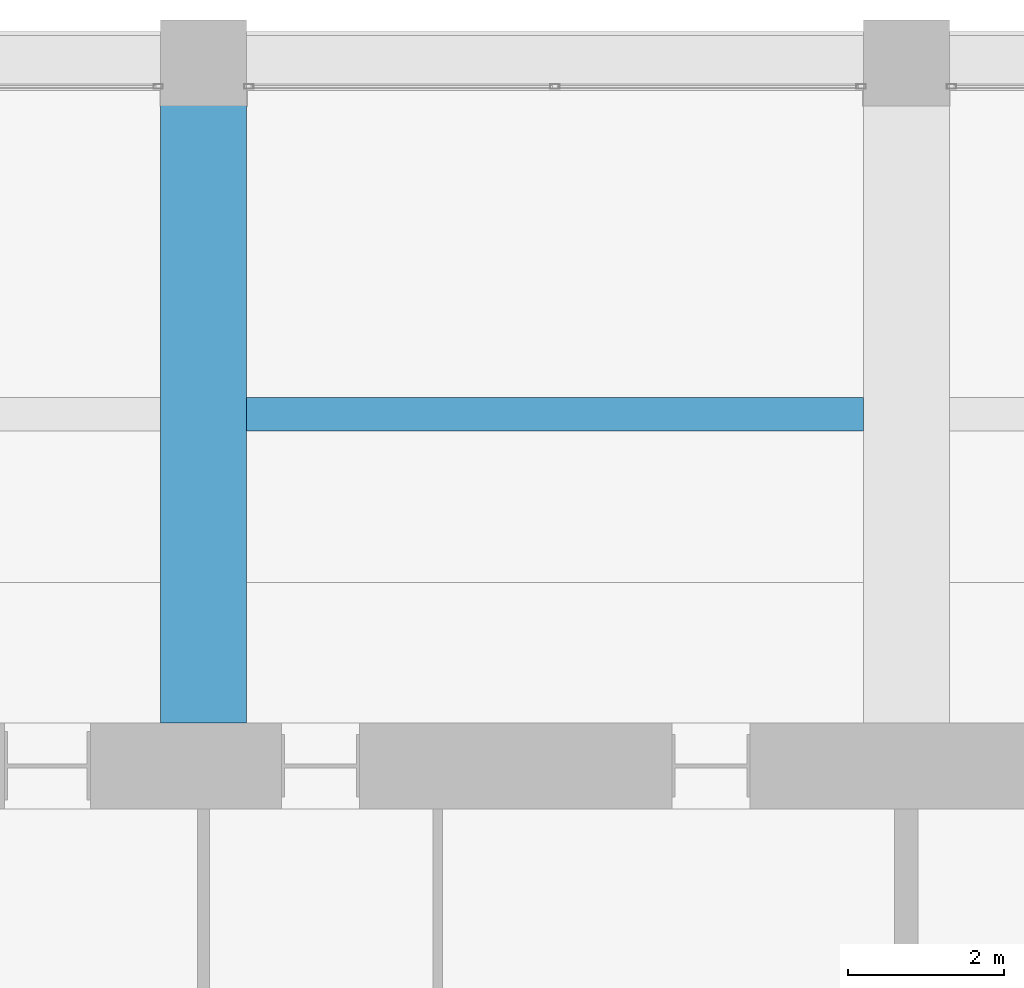
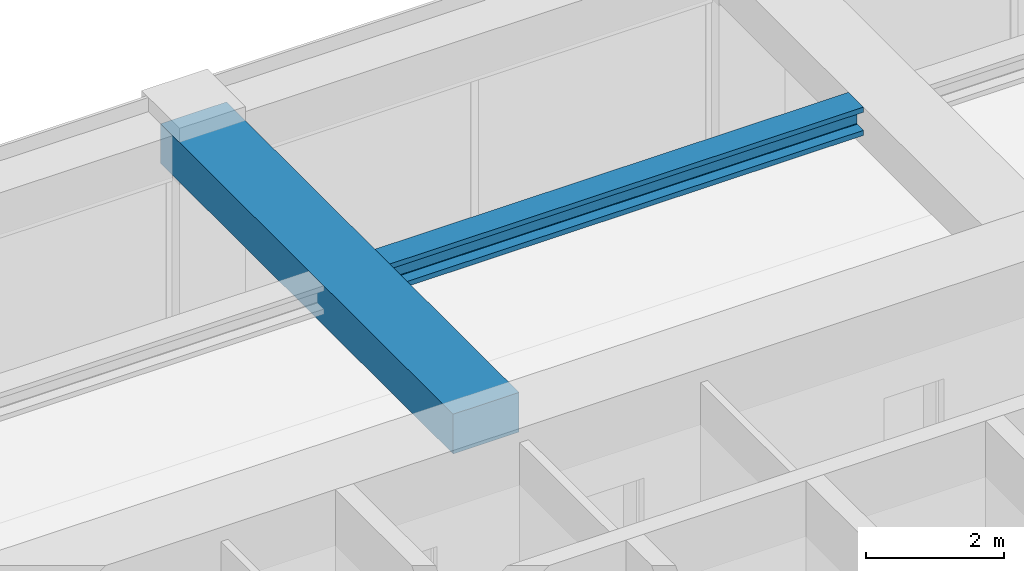
# One storey, part 32 of 44: 2 beams.
"""IFC4 building model written with IfcOpenShell, lengths in metres."""

from ifc_helpers import new_model, si_unit, direction, frame, origin, origin_2d, place, context, subcontext, project, spatial, rectangle, i_section, extrude, material, material_profile, profile_set, type_object, element, save


model = new_model("IFC4")

# Units and contexts
model_context = context("Model", 3, precision=1e-05, world=origin(), true_north=direction((0.0, 1.0)))
body_context = subcontext(model_context, "Body", "Model", "MODEL_VIEW")
ifc_project = project(units=[si_unit("LENGTHUNIT", "METRE"), si_unit("AREAUNIT", "SQUARE_METRE"), si_unit("VOLUMEUNIT", "CUBIC_METRE"), si_unit("PLANEANGLEUNIT", "RADIAN"), si_unit("MASSUNIT", "GRAM", prefix="KILO")], contexts=[model_context])

# Site, building, storey
site_placement = place(None, origin())
site = spatial("IfcSite", under=ifc_project, at=site_placement, CompositionType="ELEMENT")
building_placement = place(site_placement, origin())
building = spatial("IfcBuilding", under=site, at=building_placement, Name="Zorevar Civic Tower", CompositionType="ELEMENT")
storey_placement = place(building_placement, frame((0.0, 0.0, 263.39990234375)))
storey = spatial("IfcBuildingStorey", under=building, at=storey_placement, Name="L64", CompositionType="ELEMENT", Elevation=263.39990234375)

# Beams
ifc_material_1 = material(Name="Concrete C50/60", Category="concrete")
ifc_material_profile_1 = material_profile(ifc_material_1, rectangle(XDim=1.10009765625, YDim=0.699951171875, at=origin_2d()), Name="RC 1100x700")
ifc_profile_set_1 = profile_set([ifc_material_profile_1], Name="Concrete C50/60")
beam_type_1 = type_object("IfcBeamType", Name="Beam RC 1100x700", PredefinedType="BEAM", material=ifc_profile_set_1)
beam_1_placement = place(storey_placement, frame((27.0, 36.550048828125, 3.400146484375), z_axis=(0.0, 1.0, 0.0), x_axis=(-1.0, 0.0, 0.0)))
element("IfcBeam", 1, at=beam_1_placement, inside=storey, type_object=beam_type_1, Name="Girder L65", PredefinedType="BEAM", context=body_context, shape_type="SweptSolid", body=[
    extrude(rectangle(XDim=1.10009765625, YDim=0.699951171875, at=origin_2d()), origin(), (0.0, 0.0, 1.0), 8.449951171875),
])
ifc_material_2 = material(Name="Steel S460M (HISTAR 460)", Category="steel")
ifc_material_profile_2 = material_profile(ifc_material_2, i_section(OverallWidth=0.431884765625, OverallDepth=0.498046875, WebThickness=0.0556640625, FlangeThickness=0.0888671875, FilletRadius=0.014892578125, at=origin_2d()), Name="HD 400x744")
ifc_profile_set_2 = profile_set([ifc_material_profile_2], Name="Steel S460M (HISTAR 460)")
beam_type_2 = type_object("IfcBeamType", Name="Core bay beam HD 400x744", PredefinedType="BEAM", material=ifc_profile_set_2)
beam_2_placement = place(storey_placement, frame((27.550048828125, 40.5, 3.5009765625), z_axis=(1.0, 0.0, 0.0), x_axis=(0.0, 1.0, 0.0)))
element("IfcBeam", 2, at=beam_2_placement, inside=storey, type_object=beam_type_2, Name="Secondary beam L65", PredefinedType="BEAM", context=body_context, shape_type="SweptSolid", body=[
    extrude(i_section(OverallWidth=0.431884765625, OverallDepth=0.498046875, WebThickness=0.0556640625, FlangeThickness=0.0888671875, FilletRadius=0.014892578125, at=origin_2d()), origin(), (0.0, 0.0, 1.0), 7.89990234375),
])

save(model, "model.ifc")
